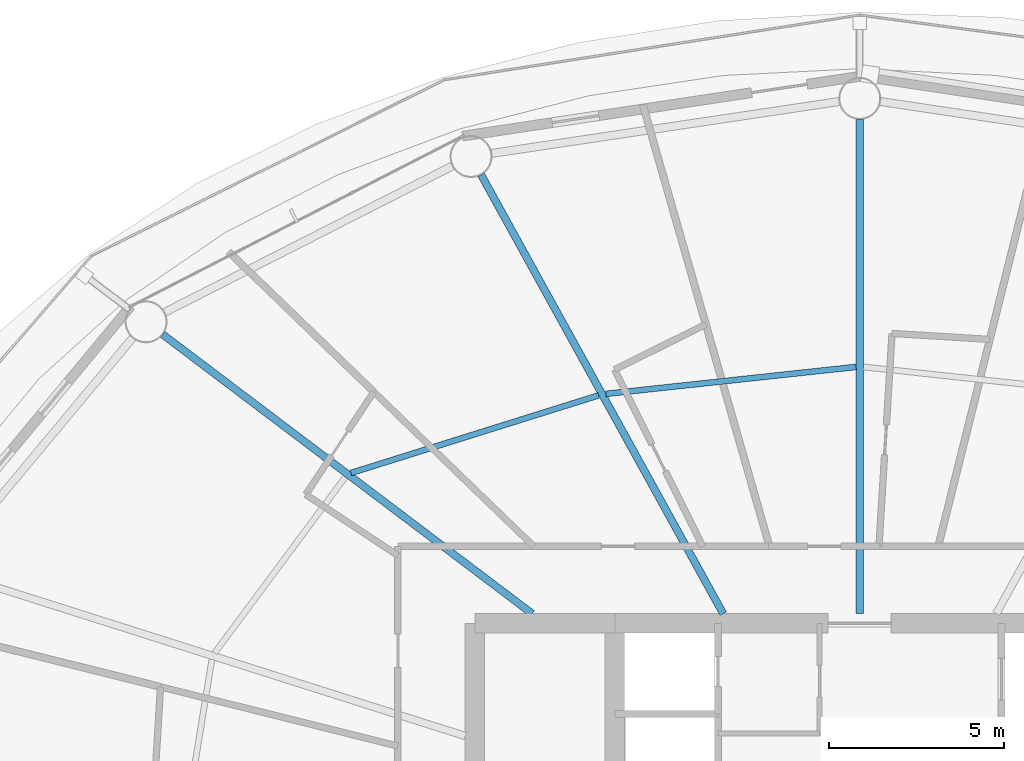
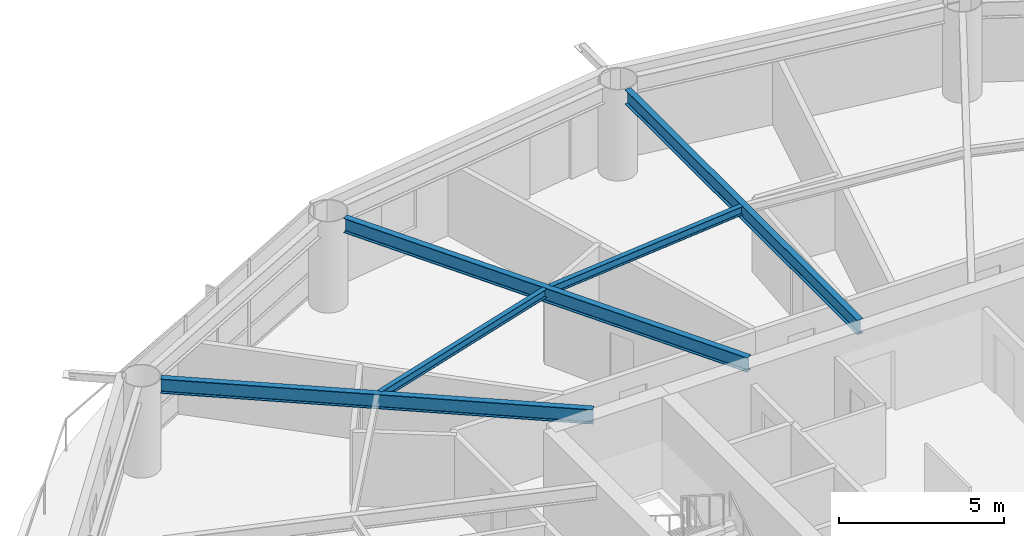
# One storey, part 9 of 24: 5 beams.
"""IFC4 building model written with IfcOpenShell, lengths in metres."""

from ifc_helpers import new_model, si_unit, direction, frame, origin, origin_2d, place, context, subcontext, project, spatial, i_section, extrude, material, material_profile, profile_set, type_object, element, save


model = new_model("IFC4")

# Units and contexts
model_context = context("Model", 3, precision=1e-05, world=origin(), true_north=direction((0.0, 1.0)))
body_context = subcontext(model_context, "Body", "Model", "MODEL_VIEW")
ifc_project = project(units=[si_unit("LENGTHUNIT", "METRE"), si_unit("AREAUNIT", "SQUARE_METRE"), si_unit("VOLUMEUNIT", "CUBIC_METRE"), si_unit("PLANEANGLEUNIT", "RADIAN"), si_unit("MASSUNIT", "GRAM", prefix="KILO")], contexts=[model_context])

# Site, building, storey
site_placement = place(None, origin())
site = spatial("IfcSite", under=ifc_project, at=site_placement, CompositionType="ELEMENT")
building_placement = place(site_placement, origin())
building = spatial("IfcBuilding", under=site, at=building_placement, Name="Sarneth Arch Tower", CompositionType="ELEMENT")
storey_placement = place(building_placement, frame((0.0, 0.0, 94.800048828125)))
storey = spatial("IfcBuildingStorey", under=building, at=storey_placement, Name="L23", CompositionType="ELEMENT", Elevation=94.800048828125)

# Beams
ifc_material_1 = material(Name="Steel S355", Category="steel")
ifc_material_profile_1 = material_profile(ifc_material_1, i_section(OverallWidth=0.1669921875, OverallDepth=0.31689453125, WebThickness=0.007568359375, FlangeThickness=0.01318359375, FilletRadius=0.012939453125, at=origin_2d()), Name="W310x52")
ifc_profile_set_1 = profile_set([ifc_material_profile_1], Name="Steel S355")
beam_type_1 = type_object("IfcBeamType", Name="BM-JOIST-310B", PredefinedType="JOIST", material=ifc_profile_set_1)
beam_1_placement = place(storey_placement, frame((47.89501953125, 56.126220703125, 3.221435546875), z_axis=(-0.994257420028, -0.107014871487, 0.0), x_axis=(0.107014871487, -0.994257420028, 0.0)))
element("IfcBeam", 1, at=beam_1_placement, inside=storey, type_object=beam_type_1, Name="L23 Secondary floor joist 05", PredefinedType="JOIST", context=body_context, shape_type="SweptSolid", body=[
    extrude(i_section(OverallWidth=0.1669921875, OverallDepth=0.31689453125, WebThickness=0.007568359375, FlangeThickness=0.01318359375, FilletRadius=0.012939453125, at=origin_2d()), origin(), (0.0, 0.0, 1.0), 7.193115234375),
])
beam_2_placement = place(storey_placement, frame((40.53759765625, 55.3134765625, 3.221435546875), z_axis=(-0.954245982384, -0.299022750146, 0.0), x_axis=(0.299022750146, -0.954245982384, 0.0)))
element("IfcBeam", 2, at=beam_2_placement, inside=storey, type_object=beam_type_1, Name="L23 Secondary floor joist 06", PredefinedType="JOIST", context=body_context, shape_type="SweptSolid", body=[
    extrude(i_section(OverallWidth=0.1669921875, OverallDepth=0.31689453125, WebThickness=0.007568359375, FlangeThickness=0.01318359375, FilletRadius=0.012939453125, at=origin_2d()), origin(), (0.0, 0.0, 1.0), 7.416748046875),
])
ifc_material_2 = material(Name="Steel S355", Category="steel")
ifc_material_profile_2 = material_profile(ifc_material_2, i_section(OverallWidth=0.2109375, OverallDepth=0.5390625, WebThickness=0.01171875, FlangeThickness=0.018798828125, FilletRadius=0.01806640625, at=origin_2d()), Name="W530x109")
ifc_profile_set_2 = profile_set([ifc_material_profile_2], Name="Steel S355")
beam_type_2 = type_object("IfcBeamType", Name="BM-RAD-530B", PredefinedType="BEAM", material=ifc_profile_set_2)
beam_3_placement = place(storey_placement, frame((48.0, 49.074951171875, 3.1103515625), z_axis=(0.0, 1.0, 0.0), x_axis=(-1.0, 0.0, 0.0)))
element("IfcBeam", 3, at=beam_3_placement, inside=storey, type_object=beam_type_2, Name="L23 Radial floor girder 05", PredefinedType="BEAM", context=body_context, shape_type="SweptSolid", body=[
    extrude(i_section(OverallWidth=0.2109375, OverallDepth=0.5390625, WebThickness=0.01171875, FlangeThickness=0.018798828125, FilletRadius=0.01806640625, at=origin_2d()), origin(), (0.0, 0.0, 1.0), 14.125),
])
beam_4_placement = place(storey_placement, frame((44.09716796875, 49.074951171875, 3.1103515625), z_axis=(-0.483021011336, 0.875608761153, 0.0), x_axis=(-0.875608761153, -0.483021011336, 0.0)))
element("IfcBeam", 4, at=beam_4_placement, inside=storey, type_object=beam_type_2, Name="L23 Radial floor girder 06", PredefinedType="BEAM", context=body_context, shape_type="SweptSolid", body=[
    extrude(i_section(OverallWidth=0.2109375, OverallDepth=0.5390625, WebThickness=0.01171875, FlangeThickness=0.018798828125, FilletRadius=0.01806640625, at=origin_2d()), origin(), (0.0, 0.0, 1.0), 14.32177734375),
])
beam_5_placement = place(storey_placement, frame((38.63818359375, 49.074951171875, 3.1103515625), z_axis=(-0.797802835234, 0.602918432371, 0.0), x_axis=(-0.602918432371, -0.797802835234, 0.0)))
element("IfcBeam", 5, at=beam_5_placement, inside=storey, type_object=beam_type_2, Name="L23 Radial floor girder 07", PredefinedType="BEAM", context=body_context, shape_type="SweptSolid", body=[
    extrude(i_section(OverallWidth=0.2109375, OverallDepth=0.5390625, WebThickness=0.01171875, FlangeThickness=0.018798828125, FilletRadius=0.01806640625, at=origin_2d()), origin(), (0.0, 0.0, 1.0), 13.232666015625),
])

save(model, "model.ifc")
